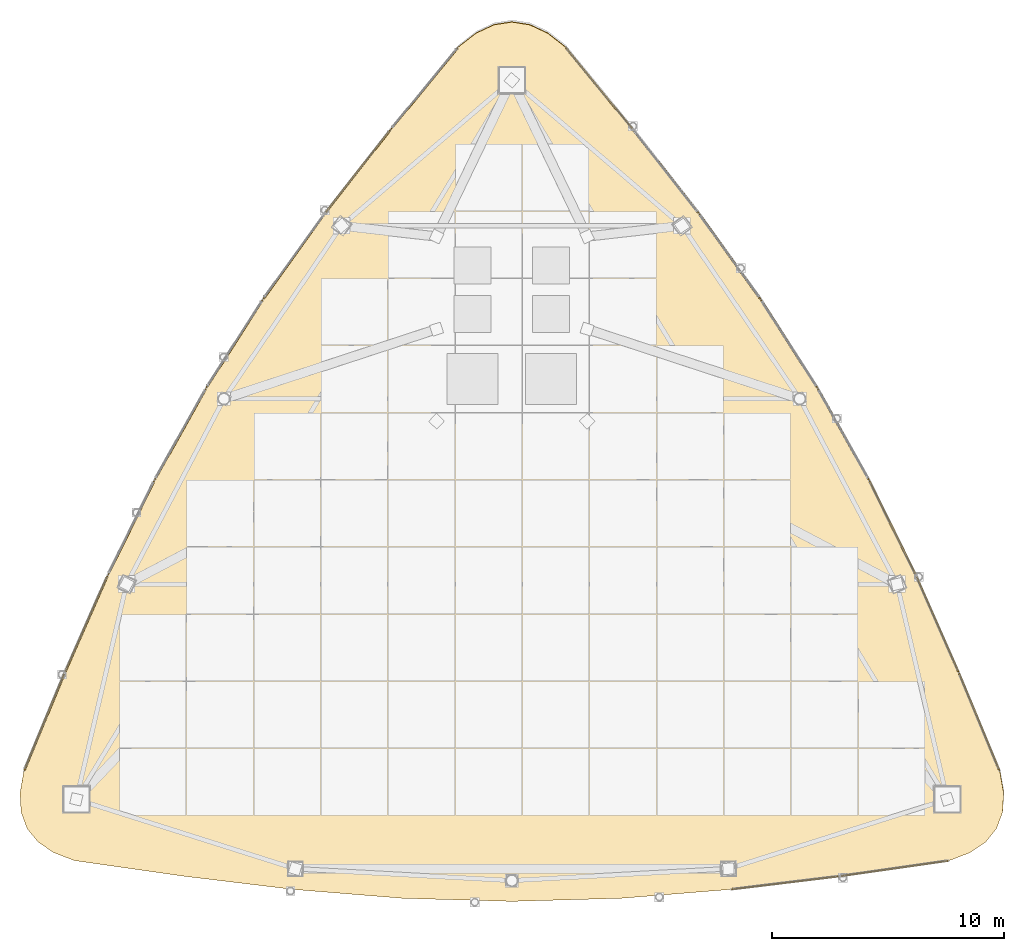
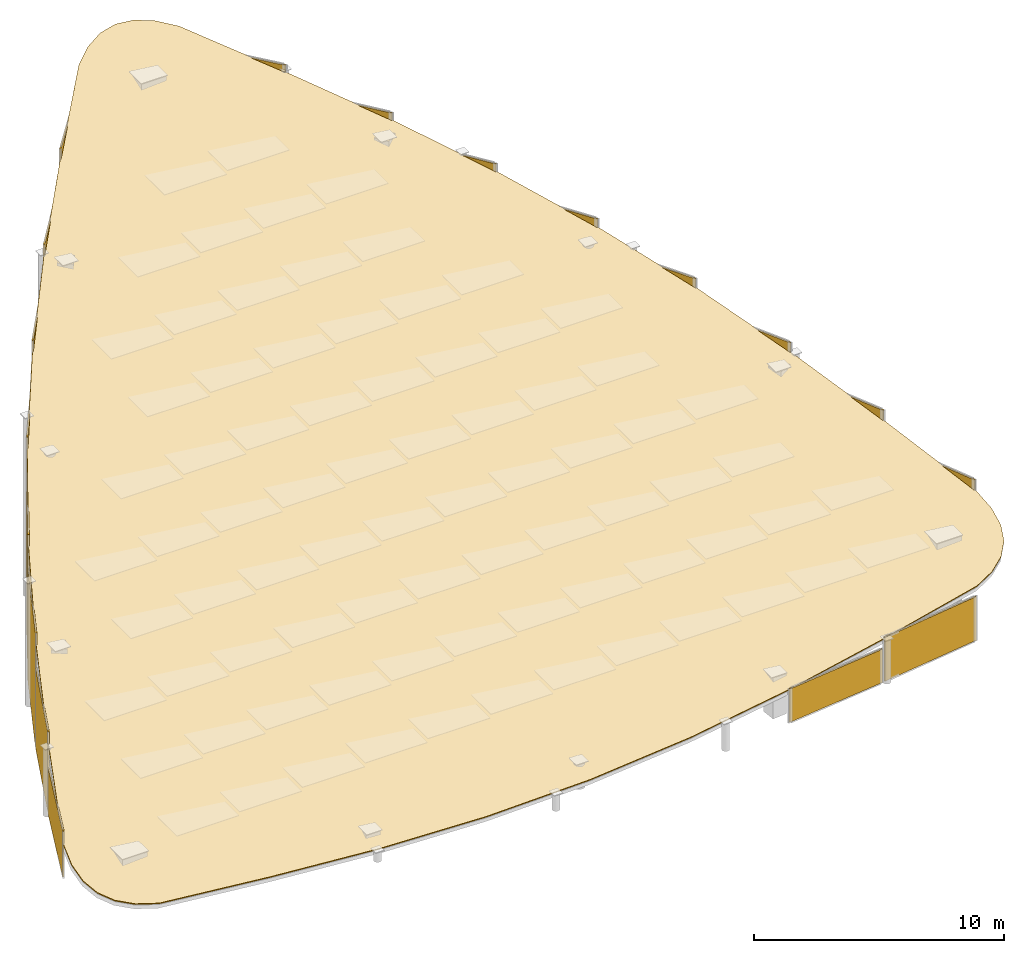
# One storey, part 21 of 21: 18 shading devices, 1 covering.
"""IFC4 building model written with IfcOpenShell, lengths in metres."""

from ifc_helpers import new_model, si_unit, direction, frame, origin, origin_2d, place, context, subcontext, project, spatial, polyline, rectangle, outline, extrude, material, layer, layer_set, type_object, element, save


model = new_model("IFC4")

# Units and contexts
model_context = context("Model", 3, precision=1e-05, world=origin(), true_north=direction((0.0, 1.0)))
body_context = subcontext(model_context, "Body", "Model", "MODEL_VIEW")
ifc_project = project(units=[si_unit("LENGTHUNIT", "METRE"), si_unit("AREAUNIT", "SQUARE_METRE"), si_unit("VOLUMEUNIT", "CUBIC_METRE"), si_unit("PLANEANGLEUNIT", "RADIAN"), si_unit("MASSUNIT", "GRAM", prefix="KILO")], contexts=[model_context])

# Site, building, storey
site_placement = place(None, origin())
site = spatial("IfcSite", under=ifc_project, at=site_placement, CompositionType="ELEMENT")
building_placement = place(site_placement, origin())
building = spatial("IfcBuilding", under=site, at=building_placement, Name="Orvanel Arch Residences", CompositionType="ELEMENT")
storey_placement = place(building_placement, frame((0.0, 0.0, 314.89990234375)))
storey = spatial("IfcBuildingStorey", under=building, at=storey_placement, Name="RF", CompositionType="ELEMENT", Elevation=314.89990234375)

# Covering
ifc_material_1 = material(Name="Standing-seam bronze-anodised aluminium roof cladding", Category="aluminium")
ifc_layer_1 = layer(ifc_material_1, 0.06494140625)
ifc_layer_set_1 = layer_set([ifc_layer_1], Name="Standing-seam bronze-anodised aluminium roof cladding")
covering_type = type_object("IfcCoveringType", Name="COV-ROOF-65", PredefinedType="ROOFING", material=ifc_layer_set_1)
covering_placement = place(storey_placement, frame((35.31494140625, 42.827880859375, 14.461181640625), z_axis=(-0.056269311174, -0.342332767898, 0.93789233958), x_axis=(-0.777008849417, 0.604912769478, 0.174177464817)))
element("IfcCovering", 1, at=covering_placement, inside=storey, type_object=covering_type, Name="RF Standing-Seam Anodised Bronze Roof Cladding", PredefinedType="ROOFING", context=body_context, shape_type="SweptSolid", body=[
    extrude(outline(polyline([(0.0, 0.0), (0.9935339026860168, -1.1102230246251565e-16), (1.825236548973823, 0.19900089766251766), (2.497068585617268, 0.5977006686332802), (3.00869415386043, 1.194916236917845), (3.3591441360258214, 1.990239876331757), (3.54902531443129, 2.986228465981362), (3.409231755954081, 7.82021542253076), (3.166505846509945, 12.642698616115789), (2.73318431792243, 17.441257400446084), (2.052434410905442, 22.206990567129417), (1.1025568910756334, 26.939349921576028), (-0.09603563742302557, 31.640390131666734), (-1.4837690922476205, 36.317313833731106), (-2.974413261191082, 40.98157246708759), (-3.477834237333859, 41.869962475491384), (-4.063048692123861, 42.52195230764573), (-4.732380890375985, 42.9383511558306), (-5.482284097679138, 43.11807791061277), (-6.314405513430118, 43.06173514906411), (-7.229125044631791, 42.76941857765693), (-11.298676675616242, 40.283090969490274), (-15.300009949479392, 37.711740591704455), (-19.17354755768948, 34.984013860650805), (-22.881915753510825, 32.05006343216653), (-26.41137048284291, 28.89436435567252), (-29.77405315678699, 25.533519631166836), (-33.01070958795392, 22.014548114451113), (-36.17906592971314, 18.411372718428034), (-36.63503704940814, 17.550456651773217), (-36.848288632842426, 16.7271450984517), (-36.81882017186537, 15.94103621443934), (-36.546799729055046, 15.19081562521666), (-36.03167906843032, 14.479147671875356), (-35.274345841782484, 13.804997845498306), (-31.07604102979733, 11.41891960465411), (-26.845976915899985, 9.133682081520295), (-22.556279651270756, 7.033023913983115), (-18.189011642222685, 5.175836339514616), (-13.738495334988274, 3.5823000732024344), (-9.208951557915158, 2.230434925090757), (-4.619839298903945, 1.0647855327376612), (0.0, 0.0)])), origin(), (0.0, 0.0, -1.0), 0.06494140625),
])

# Shading devices
ifc_material_2 = material(Name="Bronze-anodised aluminium AA6063-T6", Category="aluminium")
ifc_layer_2 = layer(ifc_material_2, 0.06494140625)
ifc_layer_set_2 = layer_set([ifc_layer_2], Name="Bronze-anodised aluminium AA6063-T6")
shading_device_type = type_object("IfcShadingDeviceType", Name="SCR-CRN-65", PredefinedType="USERDEFINED", material=ifc_layer_set_2)
shading_device_1_placement = place(storey_placement, frame((29.22412109375, 41.048095703125, 0.025146484375), z_axis=(0.0, 0.0, 1.0), x_axis=(-0.634730513202, -0.772733573497, 0.0)))
element("IfcShadingDevice", 2, at=shading_device_1_placement, inside=storey, type_object=shading_device_type, Name="RF Crown Bronze Solar Screen 07", ObjectType="SCREEN", PredefinedType="USERDEFINED", context=body_context, shape_type="SweptSolid", body=[
    extrude(rectangle(XDim=4.487060546875, YDim=0.06494140625, at=origin_2d()), origin(), (0.0, 0.0, 1.0), 13.2099609375),
])
shading_device_2_placement = place(storey_placement, frame((26.344970703125, 37.4609375, 0.025146484375), z_axis=(0.0, 0.0, 1.0), x_axis=(-0.617035875141, -0.786935021961, 0.0)))
element("IfcShadingDevice", 3, at=shading_device_2_placement, inside=storey, type_object=shading_device_type, Name="RF Crown Bronze Solar Screen 08", ObjectType="SCREEN", PredefinedType="USERDEFINED", context=body_context, shape_type="SweptSolid", body=[
    extrude(rectangle(XDim=4.472900390625, YDim=0.06494140625, at=origin_2d()), origin(), (0.0, 0.0, 1.0), 11.72802734375),
])
shading_device_3_placement = place(storey_placement, frame((23.592041015625, 33.798095703125, 0.025146484375), z_axis=(0.0, 0.0, 1.0), x_axis=(-0.583541211356, -0.812083526892, 0.0)))
element("IfcShadingDevice", 4, at=shading_device_3_placement, inside=storey, type_object=shading_device_type, Name="RF Crown Bronze Solar Screen 09", ObjectType="SCREEN", PredefinedType="USERDEFINED", context=body_context, shape_type="SweptSolid", body=[
    extrude(rectangle(XDim=4.452880859375, YDim=0.06494140625, at=origin_2d()), origin(), (0.0, 0.0, 1.0), 10.22607421875),
])
shading_device_4_placement = place(storey_placement, frame((21.027099609375, 30.02294921875, 0.02490234375), z_axis=(0.0, 0.0, 1.0), x_axis=(-0.538770785007, -0.842452397007, 0.0)))
element("IfcShadingDevice", 5, at=shading_device_4_placement, inside=storey, type_object=shading_device_type, Name="RF Crown Bronze Solar Screen 10", ObjectType="SCREEN", PredefinedType="USERDEFINED", context=body_context, shape_type="SweptSolid", body=[
    extrude(rectangle(XDim=4.43896484375, YDim=0.06494140625, at=origin_2d()), origin(), (0.0, 0.0, 1.0), 8.694091796875),
])
shading_device_5_placement = place(storey_placement, frame((18.68310546875, 26.114990234375, 0.024658203125), z_axis=(0.0, 0.0, 1.0), x_axis=(-0.489382451749, -0.872069272432, 0.0)))
element("IfcShadingDevice", 6, at=shading_device_5_placement, inside=storey, type_object=shading_device_type, Name="RF Crown Bronze Solar Screen 11", ObjectType="SCREEN", PredefinedType="USERDEFINED", context=body_context, shape_type="SweptSolid", body=[
    extrude(rectangle(XDim=4.43896484375, YDim=0.06494140625, at=origin_2d()), origin(), (0.0, 0.0, 1.0), 7.126953125),
])
shading_device_6_placement = place(storey_placement, frame((16.56005859375, 22.073974609375, 0.025634765625), z_axis=(0.0, 0.0, 1.0), x_axis=(-0.441505852792, -0.897258369674, 0.0)))
element("IfcShadingDevice", 7, at=shading_device_6_placement, inside=storey, type_object=shading_device_type, Name="RF Crown Bronze Solar Screen 12", ObjectType="SCREEN", PredefinedType="USERDEFINED", context=body_context, shape_type="SweptSolid", body=[
    extrude(rectangle(XDim=4.452880859375, YDim=0.06494140625, at=origin_2d()), origin(), (0.0, 0.0, 1.0), 5.52490234375),
])
shading_device_7_placement = place(storey_placement, frame((14.625, 17.9208984375, 0.024658203125), z_axis=(0.0, 0.0, 1.0), x_axis=(-0.403545296352, -0.91495966785, 0.0)))
element("IfcShadingDevice", 8, at=shading_device_7_placement, inside=storey, type_object=shading_device_type, Name="RF Crown Bronze Solar Screen 13", ObjectType="SCREEN", PredefinedType="USERDEFINED", context=body_context, shape_type="SweptSolid", body=[
    extrude(rectangle(XDim=4.472900390625, YDim=0.06494140625, at=origin_2d()), origin(), (0.0, 0.0, 1.0), 3.89306640625),
])
shading_device_8_placement = place(storey_placement, frame((12.81494140625, 13.693115234375, 0.0244140625), z_axis=(0.0, 0.0, 1.0), x_axis=(-0.382683432365, -0.923879532511, 0.0)))
element("IfcShadingDevice", 9, at=shading_device_8_placement, inside=storey, type_object=shading_device_type, Name="RF Crown Bronze Solar Screen 14", ObjectType="SCREEN", PredefinedType="USERDEFINED", context=body_context, shape_type="SweptSolid", body=[
    extrude(rectangle(XDim=4.487060546875, YDim=0.06494140625, at=origin_2d()), origin(), (0.0, 0.0, 1.0), 2.240966796875),
])
shading_device_9_placement = place(storey_placement, frame((44.802001953125, 6.74609375, 0.024658203125), z_axis=(0.0, 0.0, 1.0), x_axis=(0.992757341929, 0.120136838835, 0.0)))
element("IfcShadingDevice", 10, at=shading_device_9_placement, inside=storey, type_object=shading_device_type, Name="RF Crown Bronze Solar Screen 27", ObjectType="SCREEN", PredefinedType="USERDEFINED", context=body_context, shape_type="SweptSolid", body=[
    extrude(rectangle(XDim=4.635009765625, YDim=0.06494140625, at=origin_2d()), origin(), (0.0, 0.0, 1.0), 1.625),
])
shading_device_10_placement = place(storey_placement, frame((49.52197265625, 7.368896484375, 0.02490234375), z_axis=(0.0, 0.0, 1.0), x_axis=(0.990023657717, 0.140901231938, 0.0)))
element("IfcShadingDevice", 11, at=shading_device_10_placement, inside=storey, type_object=shading_device_type, Name="RF Crown Bronze Solar Screen 28", ObjectType="SCREEN", PredefinedType="USERDEFINED", context=body_context, shape_type="SweptSolid", body=[
    extrude(rectangle(XDim=4.64892578125, YDim=0.06494140625, at=origin_2d()), origin(), (0.0, 0.0, 1.0), 2.135986328125),
])
shading_device_11_placement = place(storey_placement, frame((53.18505859375, 13.693115234375, 0.024658203125), z_axis=(0.0, 0.0, 1.0), x_axis=(-0.382683432365, 0.923879532511, 0.0)))
element("IfcShadingDevice", 12, at=shading_device_11_placement, inside=storey, type_object=shading_device_type, Name="RF Crown Bronze Solar Screen 35", ObjectType="SCREEN", PredefinedType="USERDEFINED", context=body_context, shape_type="SweptSolid", body=[
    extrude(rectangle(XDim=4.487060546875, YDim=0.06494140625, at=origin_2d()), origin(), (0.0, 0.0, 1.0), 4.6630859375),
])
shading_device_12_placement = place(storey_placement, frame((51.375, 17.9208984375, 0.025390625), z_axis=(0.0, 0.0, 1.0), x_axis=(-0.403545296352, 0.91495966785, 0.0)))
element("IfcShadingDevice", 13, at=shading_device_12_placement, inside=storey, type_object=shading_device_type, Name="RF Crown Bronze Solar Screen 36", ObjectType="SCREEN", PredefinedType="USERDEFINED", context=body_context, shape_type="SweptSolid", body=[
    extrude(rectangle(XDim=4.472900390625, YDim=0.06494140625, at=origin_2d()), origin(), (0.0, 0.0, 1.0), 6.097900390625),
])
shading_device_13_placement = place(storey_placement, frame((49.43994140625, 22.073974609375, 0.025146484375), z_axis=(0.0, 0.0, 1.0), x_axis=(-0.441505852792, 0.897258369674, 0.0)))
element("IfcShadingDevice", 14, at=shading_device_13_placement, inside=storey, type_object=shading_device_type, Name="RF Crown Bronze Solar Screen 37", ObjectType="SCREEN", PredefinedType="USERDEFINED", context=body_context, shape_type="SweptSolid", body=[
    extrude(rectangle(XDim=4.452880859375, YDim=0.06494140625, at=origin_2d()), origin(), (0.0, 0.0, 1.0), 7.498046875),
])
shading_device_14_placement = place(storey_placement, frame((47.31689453125, 26.114990234375, 0.02490234375), z_axis=(0.0, 0.0, 1.0), x_axis=(-0.489382451749, 0.872069272432, 0.0)))
element("IfcShadingDevice", 15, at=shading_device_14_placement, inside=storey, type_object=shading_device_type, Name="RF Crown Bronze Solar Screen 38", ObjectType="SCREEN", PredefinedType="USERDEFINED", context=body_context, shape_type="SweptSolid", body=[
    extrude(rectangle(XDim=4.43896484375, YDim=0.06494140625, at=origin_2d()), origin(), (0.0, 0.0, 1.0), 8.845947265625),
])
shading_device_15_placement = place(storey_placement, frame((44.972900390625, 30.02294921875, 0.0244140625), z_axis=(0.0, 0.0, 1.0), x_axis=(-0.538770785007, 0.842452397007, 0.0)))
element("IfcShadingDevice", 16, at=shading_device_15_placement, inside=storey, type_object=shading_device_type, Name="RF Crown Bronze Solar Screen 39", ObjectType="SCREEN", PredefinedType="USERDEFINED", context=body_context, shape_type="SweptSolid", body=[
    extrude(rectangle(XDim=4.43896484375, YDim=0.06494140625, at=origin_2d()), origin(), (0.0, 0.0, 1.0), 10.131103515625),
])
shading_device_16_placement = place(storey_placement, frame((42.407958984375, 33.798095703125, 0.024658203125), z_axis=(0.0, 0.0, 1.0), x_axis=(-0.583541211356, 0.812083526892, 0.0)))
element("IfcShadingDevice", 17, at=shading_device_16_placement, inside=storey, type_object=shading_device_type, Name="RF Crown Bronze Solar Screen 40", ObjectType="SCREEN", PredefinedType="USERDEFINED", context=body_context, shape_type="SweptSolid", body=[
    extrude(rectangle(XDim=4.452880859375, YDim=0.06494140625, at=origin_2d()), origin(), (0.0, 0.0, 1.0), 11.35498046875),
])
shading_device_17_placement = place(storey_placement, frame((39.655029296875, 37.4609375, 0.0244140625), z_axis=(0.0, 0.0, 1.0), x_axis=(-0.617035875141, 0.786935021961, 0.0)))
element("IfcShadingDevice", 18, at=shading_device_17_placement, inside=storey, type_object=shading_device_type, Name="RF Crown Bronze Solar Screen 41", ObjectType="SCREEN", PredefinedType="USERDEFINED", context=body_context, shape_type="SweptSolid", body=[
    extrude(rectangle(XDim=4.472900390625, YDim=0.06494140625, at=origin_2d()), origin(), (0.0, 0.0, 1.0), 12.527099609375),
])
shading_device_18_placement = place(storey_placement, frame((36.77587890625, 41.048095703125, 0.025146484375), z_axis=(0.0, 0.0, 1.0), x_axis=(-0.634730513202, 0.772733573497, 0.0)))
element("IfcShadingDevice", 19, at=shading_device_18_placement, inside=storey, type_object=shading_device_type, Name="RF Crown Bronze Solar Screen 42", ObjectType="SCREEN", PredefinedType="USERDEFINED", context=body_context, shape_type="SweptSolid", body=[
    extrude(rectangle(XDim=4.487060546875, YDim=0.06494140625, at=origin_2d()), origin(), (0.0, 0.0, 1.0), 13.6640625),
])

save(model, "model.ifc")
